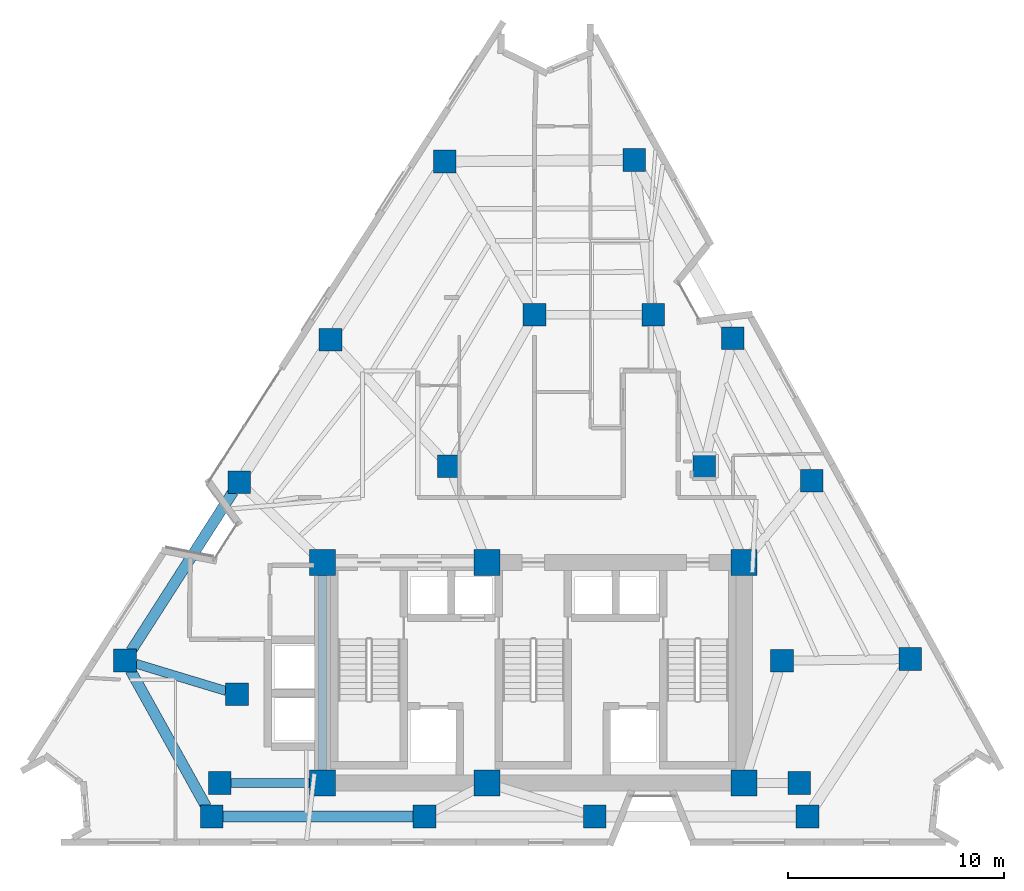
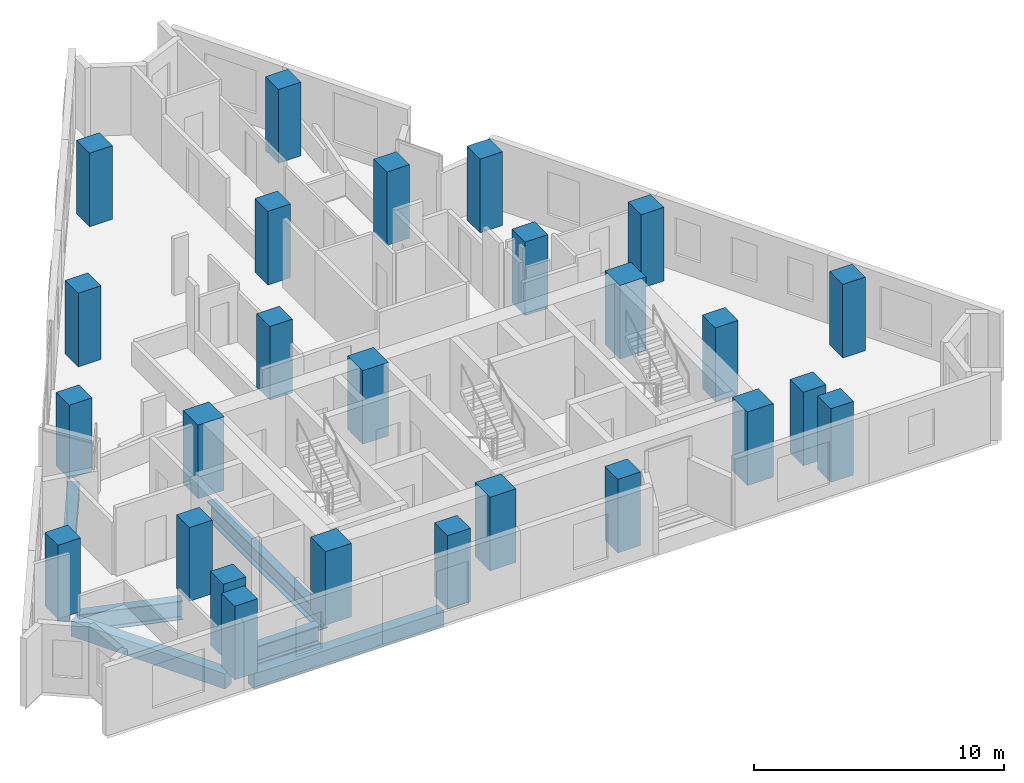
# One storey, part 1 of 10: 26 columns, 6 beams.
"""IFC4 building model written with IfcOpenShell, lengths in metres."""

from ifc_helpers import new_model, si_unit, direction, frame, origin, origin_2d, place, context, subcontext, project, spatial, rectangle, i_section, extrude, material, material_profile, profile_set, type_object, element, save


model = new_model("IFC4")

# Units and contexts
model_context = context("Model", 3, precision=1e-05, world=origin(), true_north=direction((0.0, 1.0)))
body_context = subcontext(model_context, "Body", "Model", "MODEL_VIEW")
ifc_project = project(units=[si_unit("LENGTHUNIT", "METRE"), si_unit("AREAUNIT", "SQUARE_METRE"), si_unit("VOLUMEUNIT", "CUBIC_METRE"), si_unit("PLANEANGLEUNIT", "RADIAN"), si_unit("MASSUNIT", "GRAM", prefix="KILO")], contexts=[model_context])

# Site, building, storey
site_placement = place(None, origin())
site = spatial("IfcSite", under=ifc_project, at=site_placement, CompositionType="ELEMENT")
building_placement = place(site_placement, origin())
building = spatial("IfcBuilding", under=site, at=building_placement, Name="Almagre Mirador Tower", CompositionType="ELEMENT")
storey_placement = place(building_placement, frame((0.0, 0.0, 171.60009765625)))
storey = spatial("IfcBuildingStorey", under=building, at=storey_placement, Name="L44", CompositionType="ELEMENT", Elevation=171.60009765625)

# Columns
ifc_material_1 = material(Name="Concrete C60/75", Category="concrete")
ifc_material_profile_1 = material_profile(ifc_material_1, rectangle(XDim=1.050048828125, YDim=1.050048828125, at=origin_2d()), Name="RC1050X1050")
ifc_profile_set_1 = profile_set([ifc_material_profile_1], Name="Concrete C60/75")
column_type_1 = type_object("IfcColumnType", Name="COL-RC1050", PredefinedType="COLUMN", material=ifc_profile_set_1)
for number, where, z_axis, x_axis, name in (
    (1, (22.800048828125, 4.550048828125, 0.0), (0.0, 0.0, 1.0), (1.0, 0.0, 0.0), "L44 interior transfer column MC1"),
    (2, (49.60009765625, 4.550048828125, 0.0), (0.0, 0.0, 1.0), (1.0, 0.0, 0.0), "L44 interior transfer column MC2"),
    (3, (48.800048828125, 10.199951171875, 0.0), (0.0, 0.0, 1.0), (1.0, 0.0, 0.0), "L44 interior transfer column MC3"),
    (4, (45.199951171875, 19.199951171875, 0.0), (0.0, 0.0, 1.0), (1.0, 0.0, 0.0), "L44 interior transfer column MC5"),
    (5, (42.85009765625, 26.199951171875, 0.0), (0.0, 0.0, 1.0), (1.0, 0.0, 0.0), "L44 interior transfer column MC6"),
    (6, (37.35009765625, 26.199951171875, 0.0), (0.0, 0.0, 1.0), (1.0, 0.0, 0.0), "L44 interior transfer column MC7"),
    (7, (33.39990234375, 19.199951171875, 0.0), (0.0, 0.0, 1.0), (1.0, 0.0, 0.0), "L44 interior transfer column MC8"),
    (8, (23.60009765625, 8.64990234375, 0.0), (0.0, 0.0, 1.0), (1.0, 0.0, 0.0), "L44 interior transfer column MC10"),
    (9, (22.424072265625, 3.0, 0.0), (0.0, 0.0, 1.0), (1.0, 0.0, 0.0), "L44 perimeter column PC01"),
    (10, (32.263916015625, 3.0, 0.0), (0.0, 0.0, 1.0), (1.0, 0.0, 0.0), "L44 perimeter column PC02"),
    (11, (40.135986328125, 3.0, 0.0), (0.0, 0.0, 1.0), (1.0, 0.0, 0.0), "L44 perimeter column PC03"),
    (12, (49.97607421875, 3.0, 0.0), (0.0, 0.0, 1.0), (1.0, 0.0, 0.0), "L44 perimeter column PC04"),
    (13, (54.73388671875, 10.282958984375, 0.0), (0.0, 0.0, 1.0), (1.0, 0.0, 0.0), "L44 perimeter column PC05"),
    (14, (50.174072265625, 18.52294921875, 0.0), (0.0, 0.0, 1.0), (1.0, 0.0, 0.0), "L44 perimeter column PC06"),
    (15, (46.52587890625, 25.114990234375, 0.0), (0.0, 0.0, 1.0), (1.0, 0.0, 0.0), "L44 perimeter column PC07"),
    (16, (41.966064453125, 33.35498046875, 0.0), (0.0, 0.0, 1.0), (1.0, 0.0, 0.0), "L44 perimeter column PC08"),
    (17, (33.201904296875, 33.2890625, 0.0), (0.0, 0.0, 1.0), (1.0, 0.0, 0.0), "L44 perimeter column PC09"),
    (18, (27.922119140625, 25.049072265625, 0.0), (0.0, 0.0, 1.0), (1.0, 0.0, 0.0), "L44 perimeter column PC10"),
    (19, (23.697998046875, 18.45703125, 0.0), (0.0, 0.0, 1.0), (1.0, 0.0, 0.0), "L44 perimeter column PC11"),
    (20, (18.41796875, 10.217041015625, 0.0), (0.0, 0.0, 1.0), (1.0, 0.0, 0.0), "L44 perimeter column PC12"),
):
    element("IfcColumn", number, at=place(storey_placement, frame(where, z_axis=z_axis, x_axis=x_axis)), inside=storey, type_object=column_type_1, Name=name, PredefinedType="COLUMN", context=body_context, shape_type="SweptSolid", body=[
        extrude(rectangle(XDim=1.050048828125, YDim=1.050048828125, at=origin_2d()), origin(), (0.0, 0.0, 1.0), 3.599853515625),
    ])
ifc_material_2 = material(Name="Concrete C60/75", Category="concrete")
ifc_material_profile_2 = material_profile(ifc_material_2, rectangle(XDim=1.199951171875, YDim=1.199951171875, at=origin_2d()), Name="RC1200X1200")
ifc_profile_set_2 = profile_set([ifc_material_profile_2], Name="Concrete C60/75")
column_type_2 = type_object("IfcColumnType", Name="COL-RC1200", PredefinedType="COLUMN", material=ifc_profile_set_2)
for number, where, z_axis, x_axis, name in (
    (21, (27.550048828125, 4.550048828125, 0.0), (0.0, 0.0, 1.0), (1.0, 0.0, 0.0), "L44 core spine column CC1"),
    (22, (35.14990234375, 4.550048828125, 0.0), (0.0, 0.0, 1.0), (1.0, 0.0, 0.0), "L44 core spine column CC2"),
    (23, (47.050048828125, 4.550048828125, 0.0), (0.0, 0.0, 1.0), (1.0, 0.0, 0.0), "L44 core spine column CC3"),
    (24, (27.550048828125, 14.75, 0.0), (0.0, 0.0, 1.0), (1.0, 0.0, 0.0), "L44 core spine column CC4"),
    (25, (35.14990234375, 14.75, 0.0), (0.0, 0.0, 1.0), (1.0, 0.0, 0.0), "L44 core spine column CC5"),
    (26, (47.050048828125, 14.75, 0.0), (0.0, 0.0, 1.0), (1.0, 0.0, 0.0), "L44 core spine column CC6"),
):
    element("IfcColumn", number, at=place(storey_placement, frame(where, z_axis=z_axis, x_axis=x_axis)), inside=storey, type_object=column_type_2, Name=name, PredefinedType="COLUMN", context=body_context, shape_type="SweptSolid", body=[
        extrude(rectangle(XDim=1.199951171875, YDim=1.199951171875, at=origin_2d()), origin(), (0.0, 0.0, 1.0), 3.599853515625),
    ])

# Beams
ifc_material_3 = material(Name="Precast concrete C50/60", Category="concrete")
ifc_material_profile_3 = material_profile(ifc_material_3, rectangle(XDim=0.5, YDim=0.75, at=origin_2d()), Name="RC500X750")
ifc_profile_set_3 = profile_set([ifc_material_profile_3], Name="Precast concrete C50/60")
beam_type_1 = type_object("IfcBeamType", Name="BM-SPN-RC500X750", PredefinedType="SPANDREL", material=ifc_profile_set_3)
beam_1_placement = place(storey_placement, frame((22.948974609375, 3.0, -0.625), z_axis=(1.0, 0.0, 0.0), x_axis=(0.0, 1.0, 0.0)))
element("IfcBeam", 27, at=beam_1_placement, inside=storey, type_object=beam_type_1, Name="L44 perimeter spandrel beam PC01-PC02", PredefinedType="SPANDREL", context=body_context, shape_type="SweptSolid", body=[
    extrude(rectangle(XDim=0.5, YDim=0.75, at=origin_2d()), origin(), (0.0, 0.0, 1.0), 8.7900390625),
])
beam_2_placement = place(storey_placement, frame((23.414794921875, 18.014892578125, -0.625), z_axis=(-0.539525433851, -0.841969302426, 0.0), x_axis=(0.841969302426, -0.539525433851, 0.0)))
element("IfcBeam", 28, at=beam_2_placement, inside=storey, type_object=beam_type_1, Name="L44 perimeter spandrel beam PC11-PC12", PredefinedType="SPANDREL", context=body_context, shape_type="SweptSolid", body=[
    extrude(rectangle(XDim=0.5, YDim=0.75, at=origin_2d()), origin(), (0.0, 0.0, 1.0), 8.736572265625),
])
beam_3_placement = place(storey_placement, frame((18.6728515625, 9.758056640625, -0.625), z_axis=(0.48530913158, -0.874342636959, 0.0), x_axis=(0.874342636959, 0.48530913158, 0.0)))
element("IfcBeam", 29, at=beam_3_placement, inside=storey, type_object=beam_type_1, Name="L44 perimeter spandrel beam PC12-PC01", PredefinedType="SPANDREL", context=body_context, shape_type="SweptSolid", body=[
    extrude(rectangle(XDim=0.5, YDim=0.75, at=origin_2d()), origin(), (0.0, 0.0, 1.0), 7.204345703125),
])
ifc_material_4 = material(Name="Steel ASTM A992 Grade 50", Category="steel")
ifc_material_profile_4 = material_profile(ifc_material_4, i_section(OverallWidth=0.404052734375, OverallDepth=0.884033203125, WebThickness=0.0244140625, FlangeThickness=0.0439453125, FilletRadius=0.02490234375, at=origin_2d()), Name="W33X291")
ifc_profile_set_4 = profile_set([ifc_material_profile_4], Name="Steel ASTM A992 Grade 50")
beam_type_2 = type_object("IfcBeamType", Name="BM-STL-W33X291", PredefinedType="BEAM", material=ifc_profile_set_4)
beam_4_placement = place(storey_placement, frame((27.550048828125, 5.14990234375, -0.692138671875), z_axis=(0.0, 1.0, 0.0), x_axis=(-1.0, 0.0, 0.0)))
element("IfcBeam", 30, at=beam_4_placement, inside=storey, type_object=beam_type_2, Name="L44 core tie girder CC1-CC4", PredefinedType="BEAM", context=body_context, shape_type="SweptSolid", body=[
    extrude(i_section(OverallWidth=0.404052734375, OverallDepth=0.884033203125, WebThickness=0.0244140625, FlangeThickness=0.0439453125, FilletRadius=0.02490234375, at=origin_2d()), origin(), (0.0, 0.0, 1.0), 9.0),
])
beam_5_placement = place(storey_placement, frame((23.324951171875, 4.550048828125, -0.692138671875), z_axis=(1.0, 0.0, 0.0), x_axis=(0.0, 1.0, 0.0)))
element("IfcBeam", 31, at=beam_5_placement, inside=storey, type_object=beam_type_2, Name="L44 core tie girder MC1-CC1", PredefinedType="BEAM", context=body_context, shape_type="SweptSolid", body=[
    extrude(i_section(OverallWidth=0.404052734375, OverallDepth=0.884033203125, WebThickness=0.0244140625, FlangeThickness=0.0439453125, FilletRadius=0.02490234375, at=origin_2d()), origin(), (0.0, 0.0, 1.0), 3.625),
])
ifc_material_5 = material(Name="Steel ASTM A992 Grade 50", Category="steel")
ifc_material_profile_5 = material_profile(ifc_material_5, i_section(OverallWidth=0.41796875, OverallDepth=0.927001953125, WebThickness=0.019287109375, FlangeThickness=0.031982421875, FilletRadius=0.028076171875, at=origin_2d()), Name="W36X231")
ifc_profile_set_5 = profile_set([ifc_material_profile_5], Name="Steel ASTM A992 Grade 50")
beam_type_3 = type_object("IfcBeamType", Name="BM-STL-W36X231", PredefinedType="BEAM", material=ifc_profile_set_5)
beam_6_placement = place(storey_placement, frame((18.92041015625, 10.06494140625, -0.713623046875), z_axis=(0.957203497828, -0.289415728229, 0.0), x_axis=(0.289415728229, 0.957203497828, 0.0)))
element("IfcBeam", 32, at=beam_6_placement, inside=storey, type_object=beam_type_3, Name="L44 radial floor girder PC12-MC10", PredefinedType="BEAM", context=body_context, shape_type="SweptSolid", body=[
    extrude(i_section(OverallWidth=0.41796875, OverallDepth=0.927001953125, WebThickness=0.019287109375, FlangeThickness=0.031982421875, FilletRadius=0.028076171875, at=origin_2d()), origin(), (0.0, 0.0, 1.0), 4.36376953125),
])

save(model, "model.ifc")
